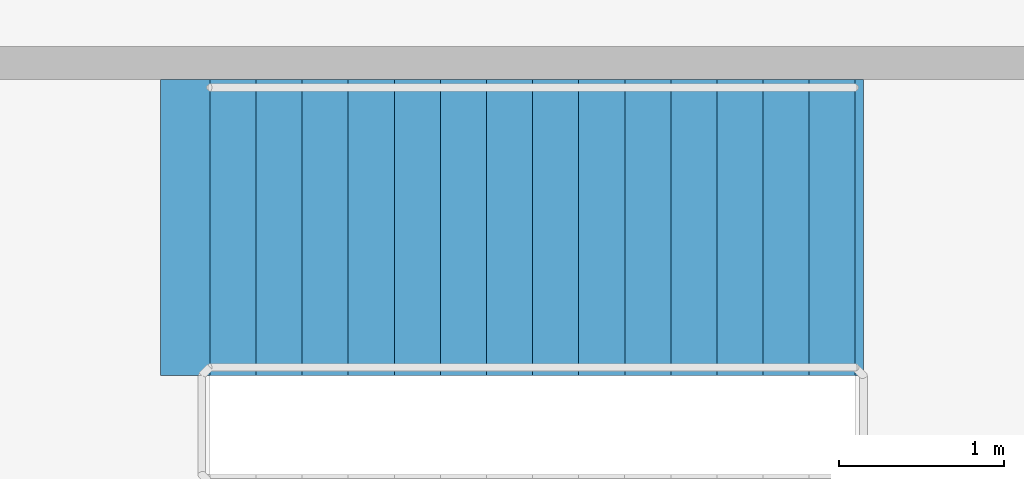
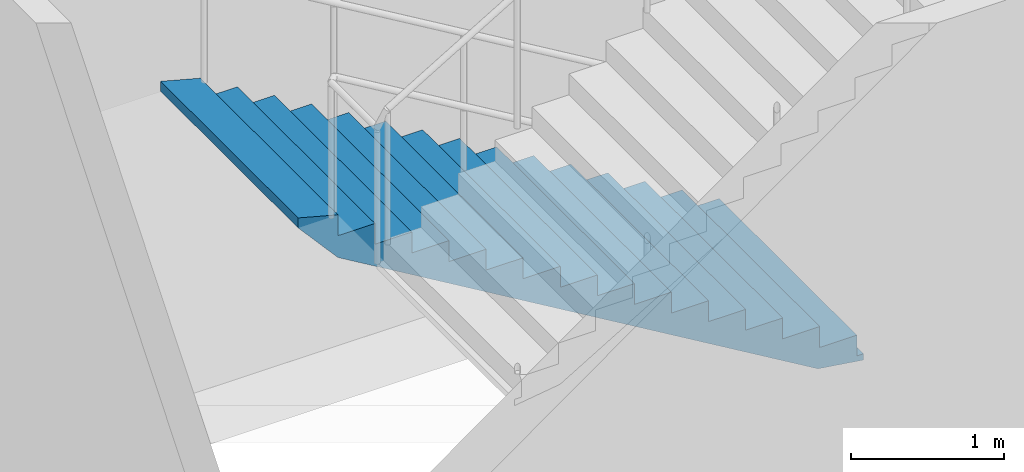
# One storey, part 22 of 27: 1 stair flight, 1 element without a shape of its own.
"""IFC4 building model written with IfcOpenShell, lengths in metres."""

from ifc_helpers import new_model, si_unit, direction, frame, origin, place, context, subcontext, project, spatial, polyline, outline, extrude, material, type_object, element, aggregate, save


model = new_model("IFC4")

# Units and contexts
model_context = context("Model", 3, precision=1e-05, world=origin(), true_north=direction((0.0, 1.0)))
body_context = subcontext(model_context, "Body", "Model", "MODEL_VIEW")
ifc_project = project(units=[si_unit("LENGTHUNIT", "METRE"), si_unit("AREAUNIT", "SQUARE_METRE"), si_unit("VOLUMEUNIT", "CUBIC_METRE"), si_unit("PLANEANGLEUNIT", "RADIAN"), si_unit("MASSUNIT", "GRAM", prefix="KILO")], contexts=[model_context])

# Site, building, storey
site_placement = place(None, origin())
site = spatial("IfcSite", under=ifc_project, at=site_placement, CompositionType="ELEMENT")
building_placement = place(site_placement, origin())
building = spatial("IfcBuilding", under=site, at=building_placement, Name="Zarbagh Exchange Tower", CompositionType="ELEMENT")
storey_placement = place(building_placement, frame((0.0, 0.0, 17.0)))
storey = spatial("IfcBuildingStorey", under=building, at=storey_placement, Name="L03", CompositionType="ELEMENT", Elevation=17.0)

# Stair, stair flight
ifc_material = material(Name="Concrete C40/50", Category="concrete")
stair_type = type_object("IfcStairType", Name="Exit stair two-flight half-turn", PredefinedType="HALF_TURN_STAIR", material=ifc_material)
stair_placement = place(storey_placement, origin())
stair = element("IfcStair", 1, at=stair_placement, inside=storey, type_object=stair_type, Name="exit stair PS3", PredefinedType="HALF_TURN_STAIR")
stair_flight_type = type_object("IfcStairFlightType", Name="Stair flight 1800 mm", PredefinedType="STRAIGHT", material=ifc_material)
stair_flight_placement = place(storey_placement, frame((33.800048828125, 9.800048828125, 0.0), z_axis=(0.0, 0.0, 1.0), x_axis=(-1.0, 0.0, 0.0)))
stair_flight = element("IfcStairFlight", 2, at=stair_flight_placement, type_object=stair_flight_type, Name="PS3 flight 1", NumberOfRisers=15, NumberOfTreads=14, PredefinedType="STRAIGHT", RiserHeight=0.166666667, TreadLength=0.28, context=body_context, shape_type="SweptSolid", body=[
    extrude(outline(polyline([(-0.050048828125, -0.050048828125), (-0.050048828125, 0.0), (0.0, 0.0), (0.0, 0.166748046875), (0.280029296875, 0.166748046875), (0.280029296875, 0.333251953125), (0.56005859375, 0.333251953125), (0.56005859375, 0.5), (0.840087890625, 0.5), (0.840087890625, 0.666748046875), (1.1201171875, 0.666748046875), (1.1201171875, 0.833251953125), (1.39990234375, 0.833251953125), (1.39990234375, 1.0), (1.679931640625, 1.0), (1.679931640625, 1.166748046875), (1.9599609375, 1.166748046875), (1.9599609375, 1.333251953125), (2.239990234375, 1.333251953125), (2.239990234375, 1.5), (2.52001953125, 1.5), (2.52001953125, 1.666748046875), (2.800048828125, 1.666748046875), (2.800048828125, 1.833251953125), (3.080078125, 1.833251953125), (3.080078125, 2.0), (3.360107421875, 2.0), (3.360107421875, 2.166748046875), (3.639892578125, 2.166748046875), (3.639892578125, 2.333251953125), (3.919921875, 2.333251953125), (3.919921875, 2.5), (4.219970703125, 2.580078125), (4.219970703125, 2.5), (3.919921875, 2.158935546875), (0.29296875, 0.0), (-0.050048828125, -0.050048828125)])), frame((0.0, 0.89990234375, 0.0), z_axis=(0.0, -1.0, 0.0), x_axis=(1.0, 0.0, 0.0)), (0.0, 0.0, 1.0), 1.800048828125),
])
aggregate(stair, [stair_flight])

save(model, "model.ifc")
